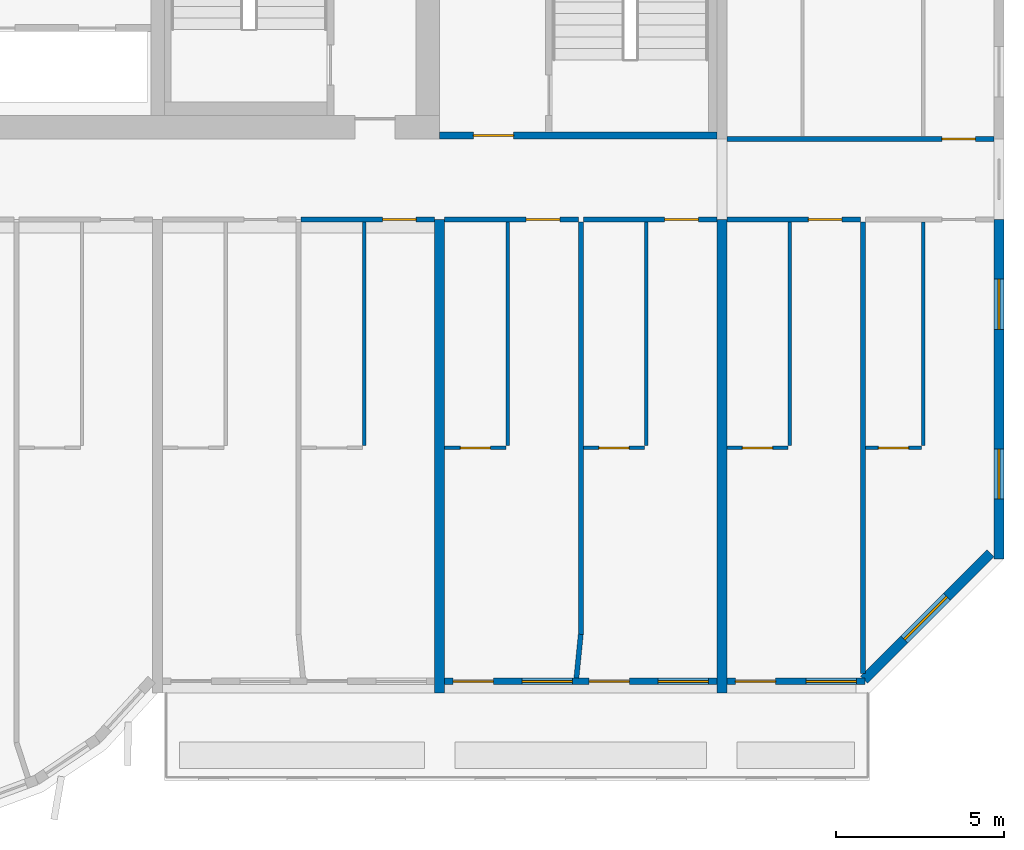
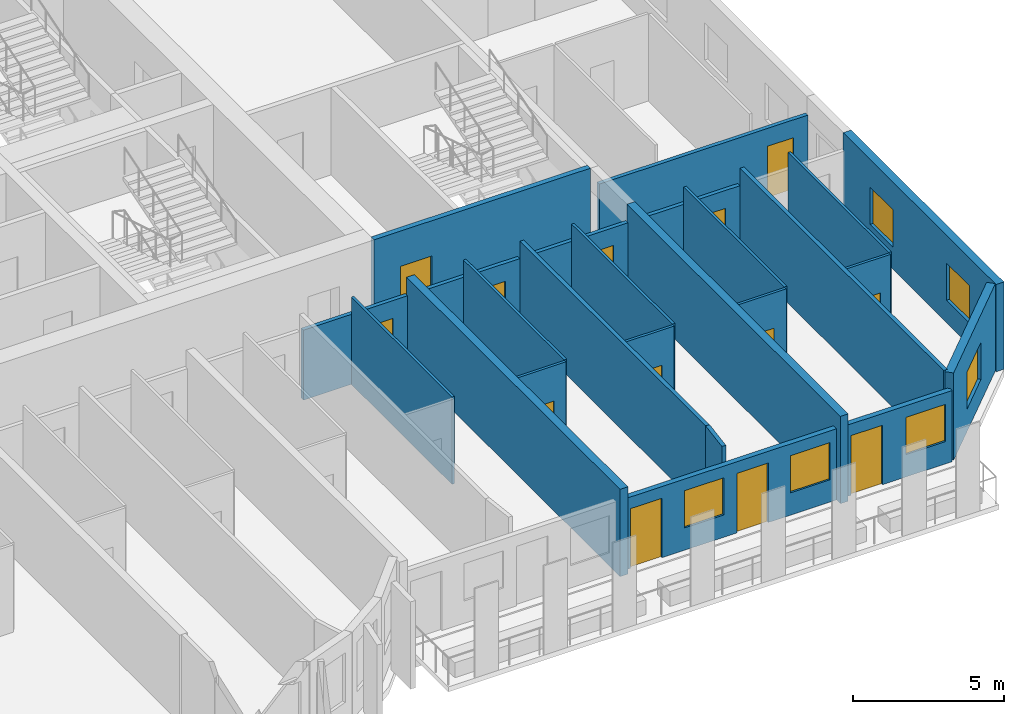
# One storey, part 8 of 13: 24 walls, 13 doors, 6 windows, 19 openings.
"""IFC4 building model written with IfcOpenShell, lengths in metres."""

from ifc_helpers import new_model, si_unit, direction, frame, frame_2d, origin, place, context, subcontext, project, spatial, rectangle, extrude, source, transform, mapped, material, layer, layer_set, type_object, element, fill, save


model = new_model("IFC4")

# Units and contexts
model_context = context("Model", 3, precision=1e-05, world=origin(), true_north=direction((0.0, 1.0)))
body_context = subcontext(model_context, "Body", "Model", "MODEL_VIEW")
ifc_project = project(units=[si_unit("LENGTHUNIT", "METRE"), si_unit("AREAUNIT", "SQUARE_METRE"), si_unit("VOLUMEUNIT", "CUBIC_METRE"), si_unit("PLANEANGLEUNIT", "RADIAN"), si_unit("MASSUNIT", "GRAM", prefix="KILO")], contexts=[model_context])

# Site, building, storey
site_placement = place(None, origin())
site = spatial("IfcSite", under=ifc_project, at=site_placement, CompositionType="ELEMENT")
building_placement = place(site_placement, origin())
building = spatial("IfcBuilding", under=site, at=building_placement, Name="Vanashikhar Sky Hotel", CompositionType="ELEMENT")
storey_placement = place(building_placement, frame((0.0, 0.0, 193.39990234375)))
storey = spatial("IfcBuildingStorey", under=building, at=storey_placement, Name="L47", CompositionType="ELEMENT", Elevation=193.39990234375)

# Wall, openings, windows
ifc_material_1 = material(Name="Concrete M60", Category="concrete")
ifc_layer_1 = layer(ifc_material_1, 0.300048828125)
ifc_layer_set_1 = layer_set([ifc_layer_1], Name="RC shear wall 300 Concrete M60")
wall_type_1 = type_object("IfcWallType", Name="RC shear wall 300 Concrete M60", PredefinedType="SHEAR", material=ifc_layer_set_1)
shared_shape_1 = source(origin(), body_context, "Body", "SweptSolid", [
    extrude(rectangle(XDim=10.10009765625, YDim=0.300048828125, at=frame_2d((5.050048828125, 0.0))), origin(), (0.0, 0.0, 1.0), 3.52001953125),
])
wall_1_placement = place(storey_placement, frame((92.25, 9.5, 0.0), z_axis=(0.0, 0.0, 1.0), x_axis=(0.0, 1.0, 0.0)))
wall_1 = element("IfcWall", 1, at=wall_1_placement, inside=storey, type_object=wall_type_1, Name="CW-L47-XW12-1", PredefinedType="SHEAR", context=body_context, shape_type="MappedRepresentation", body=[
    mapped(shared_shape_1, transform((0.0, 0.0, 0.0), scale=1.0)),
])
shared_shape_2 = source(origin(), body_context, "Body", "SweptSolid", [
    extrude(rectangle(XDim=1.5, YDim=1.5, at=frame_2d((0.75, 0.75))), frame((0.0, 0.16015625, 0.0), z_axis=(0.0, -1.0, 0.0), x_axis=(1.0, 0.0, 0.0)), (0.0, 0.0, 1.0), 0.320068359375),
])
opening_1_placement = place(wall_1_placement, frame((1.77490234375, 0.0, 0.89990234375)))
opening_1 = element("IfcOpeningElement", 2, at=opening_1_placement, cuts=wall_1, Name="Opening WN-1", PredefinedType="OPENING", context=body_context, shape_type="MappedRepresentation", body=[
    mapped(shared_shape_2, transform((0.0, 0.0, 0.0), scale=1.0)),
])
opening_2_placement = place(wall_1_placement, frame((6.824951171875, 0.0, 0.89990234375)))
opening_2 = element("IfcOpeningElement", 3, at=opening_2_placement, cuts=wall_1, Name="Opening WN-1", PredefinedType="OPENING", context=body_context, shape_type="MappedRepresentation", body=[
    mapped(shared_shape_2, transform((0.0, 0.0, 0.0), scale=1.0)),
])
ifc_material_2 = material(Name="Glass", Category="glass")
window_type_1 = type_object("IfcWindowType", Name="Window 1500 x 1500", PartitioningType="SINGLE_PANEL", PredefinedType="WINDOW", material=ifc_material_2)
shared_shape_3 = source(origin(), body_context, "Body", "SweptSolid", [
    extrude(rectangle(XDim=1.5, YDim=1.5, at=frame_2d((0.75, 0.75))), frame((0.0, 0.030029296875, 0.0), z_axis=(0.0, -1.0, 0.0), x_axis=(1.0, 0.0, 0.0)), (0.0, 0.0, 1.0), 0.06005859375),
])
window_1_placement = place(opening_1_placement, origin())
window_1 = element("IfcWindow", 4, at=window_1_placement, inside=storey, type_object=window_type_1, Name="Window WN-1", OverallHeight=1.5, OverallWidth=1.5, PartitioningType="SINGLE_PANEL", PredefinedType="WINDOW", context=body_context, shape_type="MappedRepresentation", body=[
    mapped(shared_shape_3, transform((0.0, 0.0, 0.0), scale=1.0)),
])
fill(opening_1, window_1)
window_2_placement = place(opening_2_placement, origin())
window_2 = element("IfcWindow", 5, at=window_2_placement, inside=storey, type_object=window_type_1, Name="Window WN-1", OverallHeight=1.5, OverallWidth=1.5, PartitioningType="SINGLE_PANEL", PredefinedType="WINDOW", context=body_context, shape_type="MappedRepresentation", body=[
    mapped(shared_shape_3, transform((0.0, 0.0, 0.0), scale=1.0)),
])
fill(opening_2, window_2)

# Walls
shared_shape_4 = source(origin(), body_context, "Body", "SweptSolid", [
    extrude(rectangle(XDim=14.10009765625, YDim=0.300048828125, at=frame_2d((7.050048828125, 0.0))), origin(), (0.0, 0.0, 1.0), 3.52001953125),
])
for number, where, z_axis, x_axis, name in (
    (6, (75.60009765625, 5.5, 0.0), (0.0, 0.0, 1.0), (0.0, 1.0, 0.0), "CW-L47-XW10-1"),
    (7, (84.0, 5.5, 0.0), (0.0, 0.0, 1.0), (0.0, 1.0, 0.0), "CW-L47-XW11-1"),
):
    element("IfcWall", number, at=place(storey_placement, frame(where, z_axis=z_axis, x_axis=x_axis)), inside=storey, type_object=wall_type_1, Name=name, PredefinedType="SHEAR", context=body_context, shape_type="MappedRepresentation", body=[
        mapped(shared_shape_4, transform((0.0, 0.0, 0.0), scale=1.0)),
    ])

# Wall, opening, window
ifc_material_3 = material(Name="Concrete M50", Category="concrete")
ifc_layer_2 = layer(ifc_material_3, 0.300048828125)
ifc_layer_set_2 = layer_set([ifc_layer_2], Name="Lobe wall 300")
wall_type_2 = type_object("IfcWallType", Name="Lobe wall 300", PredefinedType="SOLIDWALL", material=ifc_layer_set_2)
shared_shape_5 = source(origin(), body_context, "Body", "SweptSolid", [
    extrude(rectangle(XDim=5.32568359375, YDim=0.300048828125, at=frame_2d((2.662841796875, 0.0))), origin(), (0.0, 0.0, 1.0), 3.52001953125),
])
wall_2_placement = place(storey_placement, frame((88.234375, 5.89990234375, 0.0), z_axis=(0.0, 0.0, 1.0), x_axis=(0.707083859269, 0.707129702361, 0.0)))
wall_2 = element("IfcWall", 8, at=wall_2_placement, inside=storey, type_object=wall_type_2, Name="Corner wall", PredefinedType="SOLIDWALL", context=body_context, shape_type="MappedRepresentation", body=[
    mapped(shared_shape_5, transform((0.0, 0.0, 0.0), scale=1.0)),
])
shared_shape_6 = source(origin(), body_context, "Body", "SweptSolid", [
    extrude(rectangle(XDim=1.800048828125, YDim=1.5, at=frame_2d((0.89990234375, 0.75))), frame((0.0, 0.16015625, 0.0), z_axis=(0.0, -1.0, 0.0), x_axis=(1.0, 0.0, 0.0)), (0.0, 0.0, 1.0), 0.320068359375),
])
opening_3_placement = place(wall_2_placement, frame((1.689453125, 0.0, 0.89990234375)))
opening_3 = element("IfcOpeningElement", 9, at=opening_3_placement, cuts=wall_2, Name="Opening WN-4", PredefinedType="OPENING", context=body_context, shape_type="MappedRepresentation", body=[
    mapped(shared_shape_6, transform((0.0, 0.0, 0.0), scale=1.0)),
])
window_type_2 = type_object("IfcWindowType", Name="Corner window 1800 x 1500", PartitioningType="SINGLE_PANEL", PredefinedType="WINDOW", material=ifc_material_2)
shared_shape_7 = source(origin(), body_context, "Body", "SweptSolid", [
    extrude(rectangle(XDim=1.800048828125, YDim=1.5, at=frame_2d((0.89990234375, 0.75))), frame((0.0, 0.030029296875, 0.0), z_axis=(0.0, -1.0, 0.0), x_axis=(1.0, 0.0, 0.0)), (0.0, 0.0, 1.0), 0.06005859375),
])
window_3_placement = place(opening_3_placement, origin())
window_3 = element("IfcWindow", 10, at=window_3_placement, inside=storey, type_object=window_type_2, Name="Window WN-4", OverallHeight=1.5, OverallWidth=1.800048828125, PartitioningType="SINGLE_PANEL", PredefinedType="WINDOW", context=body_context, shape_type="MappedRepresentation", body=[
    mapped(shared_shape_7, transform((0.0, 0.0, 0.0), scale=1.0)),
])
fill(opening_3, window_3)

# Wall, openings, window, door
ifc_layer_3 = layer(ifc_material_3, 0.199951171875)
ifc_layer_set_3 = layer_set([ifc_layer_3], Name="Front window wall 200")
wall_type_3 = type_object("IfcWallType", Name="Front window wall 200", PredefinedType="SOLIDWALL", material=ifc_layer_set_3)
shared_shape_8 = source(origin(), body_context, "Body", "SweptSolid", [
    extrude(rectangle(XDim=4.10498046875, YDim=0.199951171875, at=frame_2d((2.052490234375, 0.0))), origin(), (0.0, 0.0, 1.0), 2.8701171875),
])
wall_3_placement = place(storey_placement, frame((84.14990234375, 5.85009765625, 0.0), z_axis=(0.0, 0.0, 1.0), x_axis=(1.0, 0.0, 0.0)))
wall_3 = element("IfcWall", 11, at=wall_3_placement, inside=storey, type_object=wall_type_3, Name="Front window wall", PredefinedType="SOLIDWALL", context=body_context, shape_type="MappedRepresentation", body=[
    mapped(shared_shape_8, transform((0.0, 0.0, 0.0), scale=1.0)),
])
shared_shape_9 = source(origin(), body_context, "Body", "SweptSolid", [
    extrude(rectangle(XDim=1.199951171875, YDim=2.39990234375, at=frame_2d((0.60009765625, 1.199951171875))), frame((0.0, 0.10986328125, 0.0), z_axis=(0.0, -1.0, 0.0), x_axis=(1.0, 0.0, 0.0)), (0.0, 0.0, 1.0), 0.219970703125),
])
opening_4_placement = place(wall_3_placement, frame((0.25, 0.0, 0.0)))
opening_4 = element("IfcOpeningElement", 12, at=opening_4_placement, cuts=wall_3, Name="Opening BD-10", PredefinedType="OPENING", context=body_context, shape_type="MappedRepresentation", body=[
    mapped(shared_shape_9, transform((0.0, 0.0, 0.0), scale=1.0)),
])
shared_shape_10 = source(origin(), body_context, "Body", "SweptSolid", [
    extrude(rectangle(XDim=1.5, YDim=1.5, at=frame_2d((0.75, 0.75))), frame((0.0, 0.10986328125, 0.0), z_axis=(0.0, -1.0, 0.0), x_axis=(1.0, 0.0, 0.0)), (0.0, 0.0, 1.0), 0.219970703125),
])
opening_5_placement = place(wall_3_placement, frame((2.35498046875, 0.0, 0.89990234375)))
opening_5 = element("IfcOpeningElement", 13, at=opening_5_placement, cuts=wall_3, Name="Opening WN-1", PredefinedType="OPENING", context=body_context, shape_type="MappedRepresentation", body=[
    mapped(shared_shape_10, transform((0.0, 0.0, 0.0), scale=1.0)),
])
window_4_placement = place(opening_5_placement, origin())
window_4 = element("IfcWindow", 14, at=window_4_placement, inside=storey, type_object=window_type_1, Name="Window WN-1", OverallHeight=1.5, OverallWidth=1.5, PartitioningType="SINGLE_PANEL", PredefinedType="WINDOW", context=body_context, shape_type="MappedRepresentation", body=[
    mapped(shared_shape_3, transform((0.0, 0.0, 0.0), scale=1.0)),
])
fill(opening_5, window_4)
ifc_material_4 = material(Name="Aluminium", Category="aluminium")
door_type_1 = type_object("IfcDoorType", Name="Balcony sliding door 1200 x 2400", OperationType="NOTDEFINED", PredefinedType="DOOR", material=ifc_material_4)
shared_shape_11 = source(origin(), body_context, "Body", "SweptSolid", [
    extrude(rectangle(XDim=1.199951171875, YDim=2.39990234375, at=frame_2d((0.60009765625, 1.199951171875))), frame((0.0, 0.02490234375, 0.0), z_axis=(0.0, -1.0, 0.0), x_axis=(1.0, 0.0, 0.0)), (0.0, 0.0, 1.0), 0.050048828125),
])
door_1_placement = place(opening_4_placement, origin())
door_1 = element("IfcDoor", 15, at=door_1_placement, inside=storey, type_object=door_type_1, Name="Balcony sliding door", OperationType="SLIDING_TO_RIGHT", OverallHeight=2.39990234375, OverallWidth=1.199951171875, PredefinedType="DOOR", context=body_context, shape_type="MappedRepresentation", body=[
    mapped(shared_shape_11, transform((0.0, 0.0, 0.0), scale=1.0)),
])
fill(opening_4, door_1)

# Wall, openings, windows, doors
shared_shape_12 = source(origin(), body_context, "Body", "SweptSolid", [
    extrude(rectangle(XDim=8.10009765625, YDim=0.199951171875, at=frame_2d((4.050048828125, 0.0))), origin(), (0.0, 0.0, 1.0), 2.8701171875),
])
wall_4_placement = place(storey_placement, frame((75.75, 5.85009765625, 0.0), z_axis=(0.0, 0.0, 1.0), x_axis=(1.0, 0.0, 0.0)))
wall_4 = element("IfcWall", 16, at=wall_4_placement, inside=storey, type_object=wall_type_3, Name="Front window wall", PredefinedType="SOLIDWALL", context=body_context, shape_type="MappedRepresentation", body=[
    mapped(shared_shape_12, transform((0.0, 0.0, 0.0), scale=1.0)),
])
opening_6_placement = place(wall_4_placement, frame((0.25, 0.0, 0.0)))
opening_6 = element("IfcOpeningElement", 17, at=opening_6_placement, cuts=wall_4, Name="Opening BD-08", PredefinedType="OPENING", context=body_context, shape_type="MappedRepresentation", body=[
    mapped(shared_shape_9, transform((0.0, 0.0, 0.0), scale=1.0)),
])
opening_7_placement = place(wall_4_placement, frame((2.300048828125, 0.0, 0.89990234375)))
opening_7 = element("IfcOpeningElement", 18, at=opening_7_placement, cuts=wall_4, Name="Opening WN-1", PredefinedType="OPENING", context=body_context, shape_type="MappedRepresentation", body=[
    mapped(shared_shape_10, transform((0.0, 0.0, 0.0), scale=1.0)),
])
opening_8_placement = place(wall_4_placement, frame((4.300048828125, 0.0, 0.0)))
opening_8 = element("IfcOpeningElement", 19, at=opening_8_placement, cuts=wall_4, Name="Opening BD-09", PredefinedType="OPENING", context=body_context, shape_type="MappedRepresentation", body=[
    mapped(shared_shape_9, transform((0.0, 0.0, 0.0), scale=1.0)),
])
opening_9_placement = place(wall_4_placement, frame((6.35009765625, 0.0, 0.89990234375)))
opening_9 = element("IfcOpeningElement", 20, at=opening_9_placement, cuts=wall_4, Name="Opening WN-1", PredefinedType="OPENING", context=body_context, shape_type="MappedRepresentation", body=[
    mapped(shared_shape_10, transform((0.0, 0.0, 0.0), scale=1.0)),
])
window_5_placement = place(opening_7_placement, origin())
window_5 = element("IfcWindow", 21, at=window_5_placement, inside=storey, type_object=window_type_1, Name="Window WN-1", OverallHeight=1.5, OverallWidth=1.5, PartitioningType="SINGLE_PANEL", PredefinedType="WINDOW", context=body_context, shape_type="MappedRepresentation", body=[
    mapped(shared_shape_3, transform((0.0, 0.0, 0.0), scale=1.0)),
])
fill(opening_7, window_5)
window_6_placement = place(opening_9_placement, origin())
window_6 = element("IfcWindow", 22, at=window_6_placement, inside=storey, type_object=window_type_1, Name="Window WN-1", OverallHeight=1.5, OverallWidth=1.5, PartitioningType="SINGLE_PANEL", PredefinedType="WINDOW", context=body_context, shape_type="MappedRepresentation", body=[
    mapped(shared_shape_3, transform((0.0, 0.0, 0.0), scale=1.0)),
])
fill(opening_9, window_6)
door_2_placement = place(opening_6_placement, origin())
door_2 = element("IfcDoor", 23, at=door_2_placement, inside=storey, type_object=door_type_1, Name="Balcony sliding door", OperationType="SLIDING_TO_RIGHT", OverallHeight=2.39990234375, OverallWidth=1.199951171875, PredefinedType="DOOR", context=body_context, shape_type="MappedRepresentation", body=[
    mapped(shared_shape_11, transform((0.0, 0.0, 0.0), scale=1.0)),
])
fill(opening_6, door_2)
door_3_placement = place(opening_8_placement, origin())
door_3 = element("IfcDoor", 24, at=door_3_placement, inside=storey, type_object=door_type_1, Name="Balcony sliding door", OperationType="SLIDING_TO_LEFT", OverallHeight=2.39990234375, OverallWidth=1.199951171875, PredefinedType="DOOR", context=body_context, shape_type="MappedRepresentation", body=[
    mapped(shared_shape_11, transform((0.0, 0.0, 0.0), scale=1.0)),
])
fill(opening_8, door_3)

# Wall, opening, door
ifc_layer_4 = layer(ifc_material_3, 0.199951171875)
ifc_layer_set_4 = layer_set([ifc_layer_4], Name="Stair wall 200")
wall_type_4 = type_object("IfcWallType", Name="Stair wall 200", PredefinedType="SOLIDWALL", material=ifc_layer_set_4)
shared_shape_13 = source(origin(), body_context, "Body", "SweptSolid", [
    extrude(rectangle(XDim=8.25, YDim=0.199951171875, at=frame_2d((4.125, 0.0))), origin(), (0.0, 0.0, 1.0), 3.52001953125),
])
wall_5_placement = place(storey_placement, frame((83.85009765625, 22.10009765625, 0.0), z_axis=(0.0, 0.0, 1.0), x_axis=(-1.0, 0.0, 0.0)))
wall_5 = element("IfcWall", 25, at=wall_5_placement, inside=storey, type_object=wall_type_4, Name="Stair wall 200", PredefinedType="SOLIDWALL", context=body_context, shape_type="MappedRepresentation", body=[
    mapped(shared_shape_13, transform((0.0, 0.0, 0.0), scale=1.0)),
])
shared_shape_14 = source(origin(), body_context, "Body", "SweptSolid", [
    extrude(rectangle(XDim=1.199951171875, YDim=2.10009765625, at=frame_2d((0.60009765625, 1.050048828125))), frame((0.0, 0.10986328125, 0.0), z_axis=(0.0, -1.0, 0.0), x_axis=(1.0, 0.0, 0.0)), (0.0, 0.0, 1.0), 0.219970703125),
])
opening_10_placement = place(wall_5_placement, frame((6.050048828125, 0.0, 0.0)))
opening_10 = element("IfcOpeningElement", 26, at=opening_10_placement, cuts=wall_5, Name="Opening DC-2", PredefinedType="OPENING", context=body_context, shape_type="MappedRepresentation", body=[
    mapped(shared_shape_14, transform((0.0, 0.0, 0.0), scale=1.0)),
])
ifc_material_5 = material(Name="Steel", Category="steel")
door_type_2 = type_object("IfcDoorType", Name="Firefighting lobby door 1200 FD120", OperationType="NOTDEFINED", PredefinedType="DOOR", material=ifc_material_5)
shared_shape_15 = source(origin(), body_context, "Body", "SweptSolid", [
    extrude(rectangle(XDim=1.199951171875, YDim=2.10009765625, at=frame_2d((0.60009765625, 1.050048828125))), frame((0.0, 0.02490234375, 0.0), z_axis=(0.0, -1.0, 0.0), x_axis=(1.0, 0.0, 0.0)), (0.0, 0.0, 1.0), 0.050048828125),
])
door_4_placement = place(opening_10_placement, origin())
door_4 = element("IfcDoor", 27, at=door_4_placement, inside=storey, type_object=door_type_2, Name="Firefighting lobby door 1200 FD120", OperationType="SINGLE_SWING_RIGHT", OverallHeight=2.10009765625, OverallWidth=1.199951171875, PredefinedType="DOOR", context=body_context, shape_type="MappedRepresentation", body=[
    mapped(shared_shape_15, transform((0.0, 0.0, 0.0), scale=1.0)),
])
fill(opening_10, door_4)

ifc_material_6 = material(Name="Gypsum plasterboard partition")
ifc_layer_5 = layer(ifc_material_6, 0.10009765625)
ifc_layer_set_5 = layer_set([ifc_layer_5], Name="Wet room partition 100")
wall_type_5 = type_object("IfcWallType", Name="Wet room partition 100", PredefinedType="PARTITIONING", material=ifc_layer_set_5)
shared_shape_16 = source(origin(), body_context, "Body", "SweptSolid", [
    extrude(rectangle(XDim=1.824951171875, YDim=0.10009765625, at=frame_2d((0.91259765625, 0.0))), origin(), (0.0, 0.0, 1.0), 3.52001953125),
])
wall_6_placement = place(storey_placement, frame((75.75, 12.800048828125, 0.0), z_axis=(0.0, 0.0, 1.0), x_axis=(1.0, 0.0, 0.0)))
wall_6 = element("IfcWall", 28, at=wall_6_placement, inside=storey, type_object=wall_type_5, Name="W-L47-PW038", PredefinedType="PARTITIONING", context=body_context, shape_type="MappedRepresentation", body=[
    mapped(shared_shape_16, transform((0.0, 0.0, 0.0), scale=1.0)),
])
shared_shape_17 = source(origin(), body_context, "Body", "SweptSolid", [
    extrude(rectangle(XDim=0.89990234375, YDim=2.10009765625, at=frame_2d((0.449951171875, 1.050048828125))), frame((0.0, 0.06005859375, 0.0), z_axis=(0.0, -1.0, 0.0), x_axis=(1.0, 0.0, 0.0)), (0.0, 0.0, 1.0), 0.1201171875),
])
opening_11_placement = place(wall_6_placement, frame((0.4619140625, 0.0, 0.0)))
opening_11 = element("IfcOpeningElement", 29, at=opening_11_placement, cuts=wall_6, Name="Opening D-02", PredefinedType="OPENING", context=body_context, shape_type="MappedRepresentation", body=[
    mapped(shared_shape_17, transform((0.0, 0.0, 0.0), scale=1.0)),
])
ifc_material_7 = material(Name="Timber door", Category="wood")
door_type_3 = type_object("IfcDoorType", Name="Internal door 900", OperationType="NOTDEFINED", PredefinedType="DOOR", material=ifc_material_7)
shared_shape_18 = source(origin(), body_context, "Body", "SweptSolid", [
    extrude(rectangle(XDim=0.89990234375, YDim=2.10009765625, at=frame_2d((0.449951171875, 1.050048828125))), frame((0.0, 0.02490234375, 0.0), z_axis=(0.0, -1.0, 0.0), x_axis=(1.0, 0.0, 0.0)), (0.0, 0.0, 1.0), 0.050048828125),
])
door_5_placement = place(opening_11_placement, origin())
door_5 = element("IfcDoor", 30, at=door_5_placement, inside=storey, type_object=door_type_3, Name="D-L47-023", OperationType="SINGLE_SWING_RIGHT", OverallHeight=2.10009765625, OverallWidth=0.89990234375, PredefinedType="DOOR", context=body_context, shape_type="MappedRepresentation", body=[
    mapped(shared_shape_18, transform((0.0, 0.0, 0.0), scale=1.0)),
])
fill(opening_11, door_5)

wall_7_placement = place(storey_placement, frame((79.875, 12.800048828125, 0.0), z_axis=(0.0, 0.0, 1.0), x_axis=(1.0, 0.0, 0.0)))
wall_7 = element("IfcWall", 31, at=wall_7_placement, inside=storey, type_object=wall_type_5, Name="W-L47-PW041", PredefinedType="PARTITIONING", context=body_context, shape_type="MappedRepresentation", body=[
    mapped(shared_shape_16, transform((0.0, 0.0, 0.0), scale=1.0)),
])
opening_12_placement = place(wall_7_placement, frame((0.4619140625, 0.0, 0.0)))
opening_12 = element("IfcOpeningElement", 32, at=opening_12_placement, cuts=wall_7, Name="Opening D-02", PredefinedType="OPENING", context=body_context, shape_type="MappedRepresentation", body=[
    mapped(shared_shape_17, transform((0.0, 0.0, 0.0), scale=1.0)),
])
door_6_placement = place(opening_12_placement, origin())
door_6 = element("IfcDoor", 33, at=door_6_placement, inside=storey, type_object=door_type_3, Name="D-L47-025", OperationType="SINGLE_SWING_RIGHT", OverallHeight=2.10009765625, OverallWidth=0.89990234375, PredefinedType="DOOR", context=body_context, shape_type="MappedRepresentation", body=[
    mapped(shared_shape_18, transform((0.0, 0.0, 0.0), scale=1.0)),
])
fill(opening_12, door_6)

ifc_layer_6 = layer(ifc_material_6, 0.14990234375)
ifc_layer_set_6 = layer_set([ifc_layer_6], Name="Corridor and demising partition 150")
wall_type_6 = type_object("IfcWallType", Name="Corridor and demising partition 150", PredefinedType="PARTITIONING", material=ifc_layer_set_6)
shared_shape_19 = source(origin(), body_context, "Body", "SweptSolid", [
    extrude(rectangle(XDim=7.9501953125, YDim=0.14990234375, at=frame_2d((3.97509765625, 0.0))), origin(), (0.0, 0.0, 1.0), 2.820068359375),
])
wall_8_placement = place(storey_placement, frame((84.14990234375, 22.0, 0.0), z_axis=(0.0, 0.0, 1.0), x_axis=(1.0, 0.0, 0.0)))
wall_8 = element("IfcWall", 34, at=wall_8_placement, inside=storey, type_object=wall_type_6, Name="W-L47-PW063", PredefinedType="PARTITIONING", context=body_context, shape_type="MappedRepresentation", body=[
    mapped(shared_shape_19, transform((0.0, 0.0, 0.0), scale=1.0)),
])
shared_shape_20 = source(origin(), body_context, "Body", "SweptSolid", [
    extrude(rectangle(XDim=1.0, YDim=2.10009765625, at=frame_2d((0.5, 1.050048828125))), frame((0.0, 0.0849609375, 0.0), z_axis=(0.0, -1.0, 0.0), x_axis=(1.0, 0.0, 0.0)), (0.0, 0.0, 1.0), 0.169921875),
])
opening_13_placement = place(wall_8_placement, frame((6.39990234375, 0.0, 0.0)))
opening_13 = element("IfcOpeningElement", 35, at=opening_13_placement, cuts=wall_8, Name="Opening D-01", PredefinedType="OPENING", context=body_context, shape_type="MappedRepresentation", body=[
    mapped(shared_shape_20, transform((0.0, 0.0, 0.0), scale=1.0)),
])
ifc_material_8 = material(Name="Timber fire door", Category="wood")
door_type_4 = type_object("IfcDoorType", Name="Guest entry door 1000 FD30S", OperationType="NOTDEFINED", PredefinedType="DOOR", material=ifc_material_8)
shared_shape_21 = source(origin(), body_context, "Body", "SweptSolid", [
    extrude(rectangle(XDim=1.0, YDim=2.10009765625, at=frame_2d((0.5, 1.050048828125))), frame((0.0, 0.02490234375, 0.0), z_axis=(0.0, -1.0, 0.0), x_axis=(1.0, 0.0, 0.0)), (0.0, 0.0, 1.0), 0.050048828125),
])
door_7_placement = place(opening_13_placement, origin())
door_7 = element("IfcDoor", 36, at=door_7_placement, inside=storey, type_object=door_type_4, Name="D-L47-037", OperationType="SINGLE_SWING_RIGHT", OverallHeight=2.10009765625, OverallWidth=1.0, PredefinedType="DOOR", context=body_context, shape_type="MappedRepresentation", body=[
    mapped(shared_shape_21, transform((0.0, 0.0, 0.0), scale=1.0)),
])
fill(opening_13, door_7)

# Walls
shared_shape_22 = source(origin(), body_context, "Body", "SweptSolid", [
    extrude(rectangle(XDim=6.64990234375, YDim=0.10009765625, at=frame_2d((3.324951171875, 0.0))), origin(), (0.0, 0.0, 1.0), 3.52001953125),
])
for number, where, z_axis, x_axis, name in (
    (37, (73.35009765625, 12.875, 0.0), (0.0, 0.0, 1.0), (0.0, 1.0, 0.0), "W-L47-PW033"),
    (38, (77.625, 12.875, 0.0), (0.0, 0.0, 1.0), (0.0, 1.0, 0.0), "W-L47-PW037"),
    (39, (81.75, 12.875, 0.0), (0.0, 0.0, 1.0), (0.0, 1.0, 0.0), "W-L47-PW040"),
    (40, (86.02490234375, 12.875, 0.0), (0.0, 0.0, 1.0), (0.0, 1.0, 0.0), "W-L47-PW044"),
    (41, (90.0, 12.875, 0.0), (0.0, 0.0, 1.0), (0.0, 1.0, 0.0), "W-L47-PW047"),
):
    element("IfcWall", number, at=place(storey_placement, frame(where, z_axis=z_axis, x_axis=x_axis)), inside=storey, type_object=wall_type_5, Name=name, PredefinedType="PARTITIONING", context=body_context, shape_type="MappedRepresentation", body=[
        mapped(shared_shape_22, transform((0.0, 0.0, 0.0), scale=1.0)),
    ])
shared_shape_23 = source(origin(), body_context, "Body", "SweptSolid", [
    extrude(rectangle(XDim=13.447021484375, YDim=0.14990234375, at=frame_2d((6.7236328125, 0.0))), origin(), (0.0, 0.0, 1.0), 3.52001953125),
])
wall_9_placement = place(storey_placement, frame((88.199951171875, 6.077880859375, 0.0), z_axis=(0.0, 0.0, 1.0), x_axis=(0.0, 1.0, 0.0)))
element("IfcWall", 42, at=wall_9_placement, inside=storey, type_object=wall_type_6, Name="W-L47-PW050", PredefinedType="PARTITIONING", context=body_context, shape_type="MappedRepresentation", body=[
    mapped(shared_shape_23, transform((0.0, 0.0, 0.0), scale=1.0)),
])
shared_shape_24 = source(origin(), body_context, "Body", "SweptSolid", [
    extrude(rectangle(XDim=12.27490234375, YDim=0.14990234375, at=frame_2d((6.137451171875, 0.0))), origin(), (0.0, 0.0, 1.0), 3.52001953125),
])
wall_10_placement = place(storey_placement, frame((79.800048828125, 7.25, 0.0), z_axis=(0.0, 0.0, 1.0), x_axis=(0.0, 1.0, 0.0)))
element("IfcWall", 43, at=wall_10_placement, inside=storey, type_object=wall_type_6, Name="W-L47-PW043", PredefinedType="PARTITIONING", context=body_context, shape_type="MappedRepresentation", body=[
    mapped(shared_shape_24, transform((0.0, 0.0, 0.0), scale=1.0)),
])
shared_shape_25 = source(origin(), body_context, "Body", "SweptSolid", [
    extrude(rectangle(XDim=1.306640625, YDim=0.14990234375, at=frame_2d((0.6533203125, 0.0))), origin(), (0.0, 0.0, 1.0), 3.52001953125),
])
wall_11_placement = place(storey_placement, frame((79.669921875, 5.949951171875, 0.0), z_axis=(0.0, 0.0, 1.0), x_axis=(0.099596223396, 0.99502793543, 0.0)))
element("IfcWall", 44, at=wall_11_placement, inside=storey, type_object=wall_type_6, Name="W-L47-PW043B0", PredefinedType="PARTITIONING", context=body_context, shape_type="MappedRepresentation", body=[
    mapped(shared_shape_25, transform((0.0, 0.0, 0.0), scale=1.0)),
])

# Wall, opening, door
shared_shape_26 = source(origin(), body_context, "Body", "SweptSolid", [
    extrude(rectangle(XDim=3.974853515625, YDim=0.14990234375, at=frame_2d((1.9873046875, 0.0))), origin(), (0.0, 0.0, 1.0), 2.820068359375),
])
wall_12_placement = place(storey_placement, frame((71.47509765625, 19.60009765625, 0.0), z_axis=(0.0, 0.0, 1.0), x_axis=(1.0, 0.0, 0.0)))
wall_12 = element("IfcWall", 45, at=wall_12_placement, inside=storey, type_object=wall_type_6, Name="W-L47-PW035", PredefinedType="PARTITIONING", context=body_context, shape_type="MappedRepresentation", body=[
    mapped(shared_shape_26, transform((0.0, 0.0, 0.0), scale=1.0)),
])
opening_14_placement = place(wall_12_placement, frame((2.425048828125, 0.0, 0.0)))
opening_14 = element("IfcOpeningElement", 46, at=opening_14_placement, cuts=wall_12, Name="Opening D-01", PredefinedType="OPENING", context=body_context, shape_type="MappedRepresentation", body=[
    mapped(shared_shape_20, transform((0.0, 0.0, 0.0), scale=1.0)),
])
door_8_placement = place(opening_14_placement, origin())
door_8 = element("IfcDoor", 47, at=door_8_placement, inside=storey, type_object=door_type_4, Name="D-L47-022", OperationType="SINGLE_SWING_RIGHT", OverallHeight=2.10009765625, OverallWidth=1.0, PredefinedType="DOOR", context=body_context, shape_type="MappedRepresentation", body=[
    mapped(shared_shape_21, transform((0.0, 0.0, 0.0), scale=1.0)),
])
fill(opening_14, door_8)

shared_shape_27 = source(origin(), body_context, "Body", "SweptSolid", [
    extrude(rectangle(XDim=3.97509765625, YDim=0.14990234375, at=frame_2d((1.987548828125, 0.0))), origin(), (0.0, 0.0, 1.0), 2.820068359375),
])
wall_13_placement = place(storey_placement, frame((75.75, 19.60009765625, 0.0), z_axis=(0.0, 0.0, 1.0), x_axis=(1.0, 0.0, 0.0)))
wall_13 = element("IfcWall", 48, at=wall_13_placement, inside=storey, type_object=wall_type_6, Name="W-L47-PW039", PredefinedType="PARTITIONING", context=body_context, shape_type="MappedRepresentation", body=[
    mapped(shared_shape_27, transform((0.0, 0.0, 0.0), scale=1.0)),
])
opening_15_placement = place(wall_13_placement, frame((2.425048828125, 0.0, 0.0)))
opening_15 = element("IfcOpeningElement", 49, at=opening_15_placement, cuts=wall_13, Name="Opening D-01", PredefinedType="OPENING", context=body_context, shape_type="MappedRepresentation", body=[
    mapped(shared_shape_20, transform((0.0, 0.0, 0.0), scale=1.0)),
])
door_9_placement = place(opening_15_placement, origin())
door_9 = element("IfcDoor", 50, at=door_9_placement, inside=storey, type_object=door_type_4, Name="D-L47-024", OperationType="SINGLE_SWING_RIGHT", OverallHeight=2.10009765625, OverallWidth=1.0, PredefinedType="DOOR", context=body_context, shape_type="MappedRepresentation", body=[
    mapped(shared_shape_21, transform((0.0, 0.0, 0.0), scale=1.0)),
])
fill(opening_15, door_9)

wall_14_placement = place(storey_placement, frame((79.875, 19.60009765625, 0.0), z_axis=(0.0, 0.0, 1.0), x_axis=(1.0, 0.0, 0.0)))
wall_14 = element("IfcWall", 51, at=wall_14_placement, inside=storey, type_object=wall_type_6, Name="W-L47-PW042", PredefinedType="PARTITIONING", context=body_context, shape_type="MappedRepresentation", body=[
    mapped(shared_shape_27, transform((0.0, 0.0, 0.0), scale=1.0)),
])
opening_16_placement = place(wall_14_placement, frame((2.425048828125, 0.0, 0.0)))
opening_16 = element("IfcOpeningElement", 52, at=opening_16_placement, cuts=wall_14, Name="Opening D-01", PredefinedType="OPENING", context=body_context, shape_type="MappedRepresentation", body=[
    mapped(shared_shape_20, transform((0.0, 0.0, 0.0), scale=1.0)),
])
door_10_placement = place(opening_16_placement, origin())
door_10 = element("IfcDoor", 53, at=door_10_placement, inside=storey, type_object=door_type_4, Name="D-L47-026", OperationType="SINGLE_SWING_RIGHT", OverallHeight=2.10009765625, OverallWidth=1.0, PredefinedType="DOOR", context=body_context, shape_type="MappedRepresentation", body=[
    mapped(shared_shape_21, transform((0.0, 0.0, 0.0), scale=1.0)),
])
fill(opening_16, door_10)

wall_15_placement = place(storey_placement, frame((84.14990234375, 19.60009765625, 0.0), z_axis=(0.0, 0.0, 1.0), x_axis=(1.0, 0.0, 0.0)))
wall_15 = element("IfcWall", 54, at=wall_15_placement, inside=storey, type_object=wall_type_6, Name="W-L47-PW046", PredefinedType="PARTITIONING", context=body_context, shape_type="MappedRepresentation", body=[
    mapped(shared_shape_27, transform((0.0, 0.0, 0.0), scale=1.0)),
])
opening_17_placement = place(wall_15_placement, frame((2.425048828125, 0.0, 0.0)))
opening_17 = element("IfcOpeningElement", 55, at=opening_17_placement, cuts=wall_15, Name="Opening D-01", PredefinedType="OPENING", context=body_context, shape_type="MappedRepresentation", body=[
    mapped(shared_shape_20, transform((0.0, 0.0, 0.0), scale=1.0)),
])
door_11_placement = place(opening_17_placement, origin())
door_11 = element("IfcDoor", 56, at=door_11_placement, inside=storey, type_object=door_type_4, Name="D-L47-028", OperationType="SINGLE_SWING_RIGHT", OverallHeight=2.10009765625, OverallWidth=1.0, PredefinedType="DOOR", context=body_context, shape_type="MappedRepresentation", body=[
    mapped(shared_shape_21, transform((0.0, 0.0, 0.0), scale=1.0)),
])
fill(opening_17, door_11)

shared_shape_28 = source(origin(), body_context, "Body", "SweptSolid", [
    extrude(rectangle(XDim=1.8251953125, YDim=0.10009765625, at=frame_2d((0.91259765625, 0.0))), origin(), (0.0, 0.0, 1.0), 3.52001953125),
])
wall_16_placement = place(storey_placement, frame((84.14990234375, 12.800048828125, 0.0), z_axis=(0.0, 0.0, 1.0), x_axis=(1.0, 0.0, 0.0)))
wall_16 = element("IfcWall", 57, at=wall_16_placement, inside=storey, type_object=wall_type_5, Name="W-L47-PW045", PredefinedType="PARTITIONING", context=body_context, shape_type="MappedRepresentation", body=[
    mapped(shared_shape_28, transform((0.0, 0.0, 0.0), scale=1.0)),
])
opening_18_placement = place(wall_16_placement, frame((0.4619140625, 0.0, 0.0)))
opening_18 = element("IfcOpeningElement", 58, at=opening_18_placement, cuts=wall_16, Name="Opening D-02", PredefinedType="OPENING", context=body_context, shape_type="MappedRepresentation", body=[
    mapped(shared_shape_17, transform((0.0, 0.0, 0.0), scale=1.0)),
])
door_12_placement = place(opening_18_placement, origin())
door_12 = element("IfcDoor", 59, at=door_12_placement, inside=storey, type_object=door_type_3, Name="D-L47-027", OperationType="SINGLE_SWING_RIGHT", OverallHeight=2.10009765625, OverallWidth=0.89990234375, PredefinedType="DOOR", context=body_context, shape_type="MappedRepresentation", body=[
    mapped(shared_shape_18, transform((0.0, 0.0, 0.0), scale=1.0)),
])
fill(opening_18, door_12)

shared_shape_29 = source(origin(), body_context, "Body", "SweptSolid", [
    extrude(rectangle(XDim=1.675048828125, YDim=0.10009765625, at=frame_2d((0.83740234375, 0.0))), origin(), (0.0, 0.0, 1.0), 3.52001953125),
])
wall_17_placement = place(storey_placement, frame((88.27490234375, 12.800048828125, 0.0), z_axis=(0.0, 0.0, 1.0), x_axis=(1.0, 0.0, 0.0)))
wall_17 = element("IfcWall", 60, at=wall_17_placement, inside=storey, type_object=wall_type_5, Name="W-L47-PW048", PredefinedType="PARTITIONING", context=body_context, shape_type="MappedRepresentation", body=[
    mapped(shared_shape_29, transform((0.0, 0.0, 0.0), scale=1.0)),
])
opening_19_placement = place(wall_17_placement, frame((0.387939453125, 0.0, 0.0)))
opening_19 = element("IfcOpeningElement", 61, at=opening_19_placement, cuts=wall_17, Name="Opening D-02", PredefinedType="OPENING", context=body_context, shape_type="MappedRepresentation", body=[
    mapped(shared_shape_17, transform((0.0, 0.0, 0.0), scale=1.0)),
])
door_13_placement = place(opening_19_placement, origin())
door_13 = element("IfcDoor", 62, at=door_13_placement, inside=storey, type_object=door_type_3, Name="D-L47-029", OperationType="SINGLE_SWING_RIGHT", OverallHeight=2.10009765625, OverallWidth=0.89990234375, PredefinedType="DOOR", context=body_context, shape_type="MappedRepresentation", body=[
    mapped(shared_shape_18, transform((0.0, 0.0, 0.0), scale=1.0)),
])
fill(opening_19, door_13)

save(model, "model.ifc")
